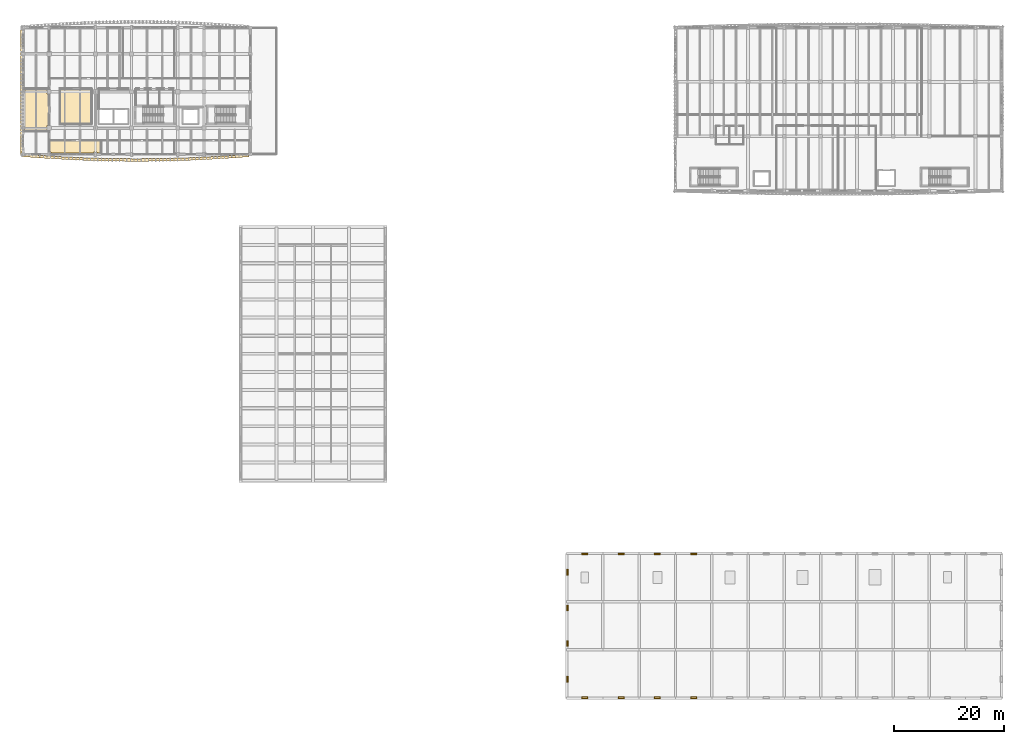
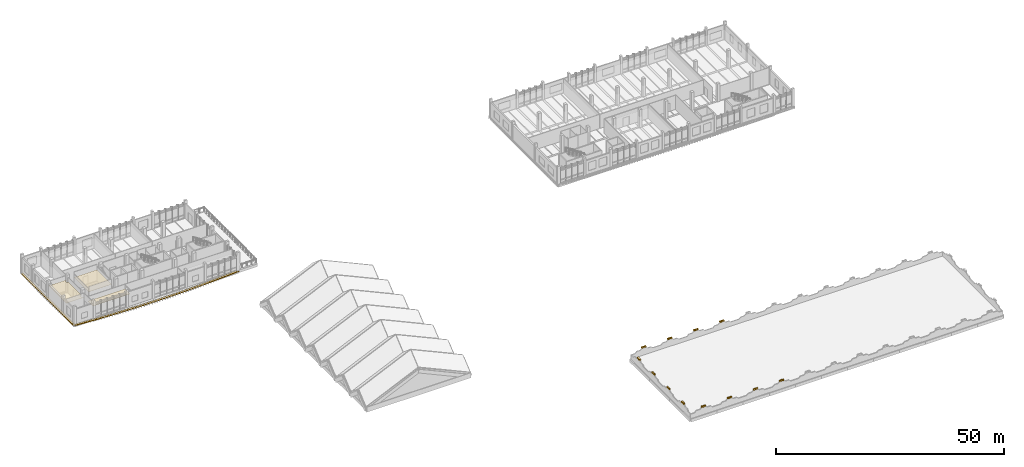
# One storey, part 35 of 50: 17 coverings.
"""IFC4 building model written with IfcOpenShell, lengths in metres."""

from ifc_helpers import new_model, si_unit, direction, frame, origin, origin_2d, place, context, subcontext, project, spatial, polyline, rectangle, outline, extrude, material, layer, layer_set, type_object, element, save


model = new_model("IFC4")

# Units and contexts
model_context = context("Model", 3, precision=1e-05, world=origin(), true_north=direction((0.0, 1.0)))
body_context = subcontext(model_context, "Body", "Model", "MODEL_VIEW")
ifc_project = project(units=[si_unit("LENGTHUNIT", "METRE"), si_unit("AREAUNIT", "SQUARE_METRE"), si_unit("VOLUMEUNIT", "CUBIC_METRE"), si_unit("PLANEANGLEUNIT", "RADIAN"), si_unit("MASSUNIT", "GRAM", prefix="KILO")], contexts=[model_context])

# Site, building, storey
site_placement = place(None, origin())
site = spatial("IfcSite", under=ifc_project, at=site_placement, CompositionType="ELEMENT")
building_placement = place(site_placement, origin())
building = spatial("IfcBuilding", under=site, at=building_placement, Name="Dornvale Research Institute", CompositionType="ELEMENT")
storey_placement = place(building_placement, frame((0.0, 0.0, 19.800048828125)))
storey = spatial("IfcBuildingStorey", under=building, at=storey_placement, Name="L04", CompositionType="ELEMENT", Elevation=19.800048828125)

# Coverings
ifc_material_1 = material(Name="Mineral-Fibre Acoustic Lay-In Ceiling Tile System")
ifc_layer_1 = layer(ifc_material_1, 0.02001953125)
ifc_layer_set_1 = layer_set([ifc_layer_1], Name="Mineral-Fibre Acoustic Lay-In Ceiling Tile System")
covering_type_1 = type_object("IfcCoveringType", Name="Covering_Acoustic_Ceiling", PredefinedType="CEILING", material=ifc_layer_set_1)
covering_1_placement = place(storey_placement, frame((0.0, 0.0, 2.849853515625)))
element("IfcCovering", 1, at=covering_1_placement, inside=storey, type_object=covering_type_1, Name="L04 Atmospheric Sensor Calibration Lab L04 suspended ceiling", PredefinedType="CEILING", context=body_context, shape_type="SweptSolid", body=[
    extrude(outline(polyline([(6.77001953125, 104.52001953125), (6.77001953125, 110.929931640625), (12.530029296875, 110.929931640625), (12.530029296875, 104.52001953125), (6.77001953125, 104.52001953125)])), origin(), (0.0, 0.0, 1.0), 0.02001953125),
])
covering_2_placement = place(storey_placement, frame((0.0, 0.0, 2.849853515625)))
element("IfcCovering", 2, at=covering_2_placement, inside=storey, type_object=covering_type_1, Name="L04 Barometric Reference Instrument Room L04 suspended ceiling", PredefinedType="CEILING", context=body_context, shape_type="SweptSolid", body=[
    extrude(outline(polyline([(4.39990234375, 110.800048828125), (4.39990234375, 110.0), (4.780029296875, 110.0), (4.780029296875, 104.22509765625), (4.375, 104.22509765625), (4.375, 103.375), (4.780029296875, 103.375), (4.780029296875, 103.219970703125), (0.300048828125, 103.219970703125), (0.300048828125, 103.5), (0.39990234375, 103.5), (0.39990234375, 104.10009765625), (0.300048828125, 104.10009765625), (0.300048828125, 110.10009765625), (0.39990234375, 110.10009765625), (0.39990234375, 110.699951171875), (0.300048828125, 110.699951171875), (0.300048828125, 110.929931640625), (4.780029296875, 110.929931640625), (4.780029296875, 110.800048828125), (4.39990234375, 110.800048828125)])), origin(), (0.0, 0.0, 1.0), 0.02001953125),
])
covering_3_placement = place(storey_placement, frame((0.0, 0.0, 2.849853515625)))
element("IfcCovering", 3, at=covering_3_placement, inside=storey, type_object=covering_type_1, Name="L04 Atmospheric Physics Dry Laboratory suspended ceiling", PredefinedType="CEILING", context=body_context, shape_type="SweptSolid", body=[
    extrude(outline(polyline([(12.89990234375, 99.39990234375), (12.89990234375, 99.300048828125), (5.10009765625, 99.300048828125), (5.10009765625, 99.39990234375), (4.820068359375, 99.39990234375), (4.820068359375, 101.530029296875), (14.239990234375, 101.530029296875), (14.239990234375, 99.300048828125), (13.5, 99.300048828125), (13.5, 99.39990234375), (12.89990234375, 99.39990234375)])), origin(), (0.0, 0.0, 1.0), 0.02001953125),
])
ifc_material_2 = material(Name="Polychrome Trencadis Glazed Ceramic Mosaic Coping")
ifc_layer_2 = layer(ifc_material_2, 0.300048828125)
ifc_layer_set_2 = layer_set([ifc_layer_2], Name="Polychrome Trencadis Glazed Ceramic Mosaic Coping")
covering_type_2 = type_object("IfcCoveringType", Name="Covering_Trencadis_Crown", PredefinedType="CLADDING", material=ifc_layer_set_2)
for number, where, z_axis, x_axis, name in (
    (4, (102.300048828125, 0.110107421875, 2.0), (0.0, 0.0, 1.0), (1.0, 0.0, 0.0), "L04 V3-L04 polychrome trencadis crown coping S-1"),
    (5, (108.89990234375, 0.110107421875, 2.0), (0.0, 0.0, 1.0), (1.0, 0.0, 0.0), "L04 V3-L04 polychrome trencadis crown coping S-2"),
    (6, (115.5, 0.110107421875, 2.0), (0.0, 0.0, 1.0), (1.0, 0.0, 0.0), "L04 V3-L04 polychrome trencadis crown coping S-3"),
    (7, (122.10009765625, 0.110107421875, 2.0), (0.0, 0.0, 1.0), (1.0, 0.0, 0.0), "L04 V3-L04 polychrome trencadis crown coping S-4"),
    (8, (102.300048828125, 26.2900390625, 2.0), (0.0, 0.0, 1.0), (1.0, 0.0, 0.0), "L04 V3-L04 polychrome trencadis crown coping N-1"),
    (9, (108.89990234375, 26.2900390625, 2.0), (0.0, 0.0, 1.0), (1.0, 0.0, 0.0), "L04 V3-L04 polychrome trencadis crown coping N-2"),
    (10, (115.5, 26.2900390625, 2.0), (0.0, 0.0, 1.0), (1.0, 0.0, 0.0), "L04 V3-L04 polychrome trencadis crown coping N-3"),
    (11, (122.10009765625, 26.2900390625, 2.0), (0.0, 0.0, 1.0), (1.0, 0.0, 0.0), "L04 V3-L04 polychrome trencadis crown coping N-4"),
):
    element("IfcCovering", number, at=place(storey_placement, frame(where, z_axis=z_axis, x_axis=x_axis)), inside=storey, type_object=covering_type_2, Name=name, PredefinedType="CLADDING", context=body_context, shape_type="SweptSolid", body=[
        extrude(rectangle(XDim=1.055908203125, YDim=0.300048828125, at=origin_2d()), origin(), (0.0, 0.0, 1.0), 0.219970703125),
    ])
for number, where, z_axis, x_axis, name in (
    (12, (99.110107421875, 3.465087890625, 2.0), (0.0, 0.0, 1.0), (0.0, 1.0, 0.0), "L04 V3-L04 polychrome trencadis crown coping W-1"),
    (13, (99.110107421875, 9.955078125, 2.0), (0.0, 0.0, 1.0), (0.0, 1.0, 0.0), "L04 V3-L04 polychrome trencadis crown coping W-2"),
    (14, (99.110107421875, 16.445068359375, 2.0), (0.0, 0.0, 1.0), (0.0, 1.0, 0.0), "L04 V3-L04 polychrome trencadis crown coping W-3"),
    (15, (99.110107421875, 22.93505859375, 2.0), (0.0, 0.0, 1.0), (0.0, 1.0, 0.0), "L04 V3-L04 polychrome trencadis crown coping W-4"),
):
    element("IfcCovering", number, at=place(storey_placement, frame(where, z_axis=z_axis, x_axis=x_axis)), inside=storey, type_object=covering_type_2, Name=name, PredefinedType="CLADDING", context=body_context, shape_type="SweptSolid", body=[
        extrude(rectangle(XDim=1.0380859375, YDim=0.300048828125, at=origin_2d()), origin(), (0.0, 0.0, 1.0), 0.219970703125),
    ])
ifc_material_3 = material(Name="Polychrome Glazed Terracotta Visor Rib Ceramic", Category="masonry")
ifc_layer_3 = layer(ifc_material_3, 0.199951171875)
ifc_layer_set_3 = layer_set([ifc_layer_3], Name="Polychrome Glazed Terracotta Visor Rib Ceramic")
covering_type_3 = type_object("IfcCoveringType", Name="Covering_VisorBrim_Shelf", PredefinedType="CLADDING", material=ifc_layer_set_3)
covering_4_placement = place(storey_placement, frame((0.0, 0.0, -0.280029296875)))
element("IfcCovering", 16, at=covering_4_placement, inside=storey, type_object=covering_type_3, Name="L04 V5 canted bowed-brim visor hood #18", PredefinedType="CLADDING", context=body_context, shape_type="SweptSolid", body=[
    extrude(outline(polyline([(0.06005859375, 99.055419921875), (1.660400390625, 98.92919921875), (3.316162109375, 98.809814453125), (4.9716796875, 98.700927734375), (6.627197265625, 98.602783203125), (8.282958984375, 98.515869140625), (9.938720703125, 98.439697265625), (11.59423828125, 98.37451171875), (13.249755859375, 98.3203125), (14.905517578125, 98.276611328125), (16.56103515625, 98.243896484375), (18.216552734375, 98.22216796875), (19.872314453125, 98.21142578125), (21.52783203125, 98.21142578125), (23.183349609375, 98.22216796875), (24.839111328125, 98.243896484375), (26.49462890625, 98.276611328125), (28.150146484375, 98.3203125), (29.805908203125, 98.37451171875), (31.46142578125, 98.439697265625), (33.116943359375, 98.515869140625), (34.772705078125, 98.602783203125), (36.42822265625, 98.700927734375), (38.083984375, 98.809814453125), (39.739501953125, 98.92919921875), (41.050048828125, 99.03271484375), (41.050048828125, 98.64990234375), (41.59326171875, 98.64990234375), (41.575927734375, 98.63720703125), (41.431640625, 98.597900390625), (39.775634765625, 98.46728515625), (39.77294921875, 98.46728515625), (38.116943359375, 98.34765625), (38.114501953125, 98.347412109375), (36.45849609375, 98.23876953125), (36.455810546875, 98.238525390625), (34.7998046875, 98.140380859375), (34.797119140625, 98.140380859375), (33.14111328125, 98.053466796875), (33.138427734375, 98.05322265625), (31.482421875, 97.97705078125), (31.47998046875, 97.976806640625), (29.823974609375, 97.91162109375), (29.8212890625, 97.91162109375), (28.165283203125, 97.857177734375), (28.16259765625, 97.857177734375), (26.506591796875, 97.8134765625), (26.50390625, 97.8134765625), (24.847900390625, 97.781005859375), (24.84521484375, 97.78076171875), (23.189208984375, 97.759033203125), (23.1865234375, 97.759033203125), (21.530517578125, 97.748291015625), (21.528076171875, 97.748291015625), (19.8720703125, 97.748291015625), (19.869384765625, 97.748291015625), (18.21337890625, 97.759033203125), (18.210693359375, 97.759033203125), (16.5546875, 97.78076171875), (16.552001953125, 97.781005859375), (14.89599609375, 97.8134765625), (14.893310546875, 97.8134765625), (13.2373046875, 97.857177734375), (13.23486328125, 97.857177734375), (11.578857421875, 97.91162109375), (11.576171875, 97.91162109375), (9.920166015625, 97.976806640625), (9.91748046875, 97.97705078125), (8.261474609375, 98.05322265625), (8.2587890625, 98.053466796875), (6.602783203125, 98.140380859375), (6.60009765625, 98.140380859375), (4.944091796875, 98.238525390625), (4.941650390625, 98.23876953125), (3.28564453125, 98.347412109375), (3.282958984375, 98.34765625), (1.626953125, 98.46728515625), (1.624267578125, 98.46728515625), (-0.03173828125, 98.597900390625), (-0.176025390625, 98.63720703125), (-0.296142578125, 98.726318359375), (-0.37548828125, 98.85302734375), (-0.4033203125, 99.0), (-0.4033203125, 99.449951171875), (0.06005859375, 99.449951171875), (0.06005859375, 99.055419921875)])), origin(), (0.0, 0.0, 1.0), 0.199951171875),
])
covering_5_placement = place(storey_placement, frame((0.0, 0.0, -0.280029296875)))
element("IfcCovering", 17, at=covering_5_placement, inside=storey, type_object=covering_type_3, Name="L04 V5 canted bowed-brim visor hood #20", PredefinedType="CLADDING", context=body_context, shape_type="SweptSolid", body=[
    extrude(outline(polyline([(0.06005859375, 99.449951171875), (-0.4033203125, 99.449951171875), (-0.4033203125, 121.64990234375), (0.06005859375, 121.64990234375), (0.06005859375, 99.449951171875)])), origin(), (0.0, 0.0, 1.0), 0.199951171875),
])

save(model, "model.ifc")
